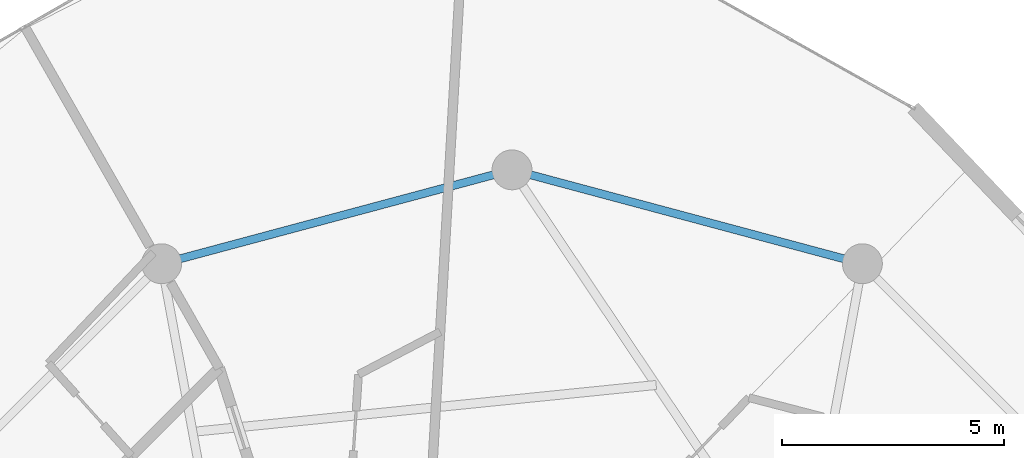
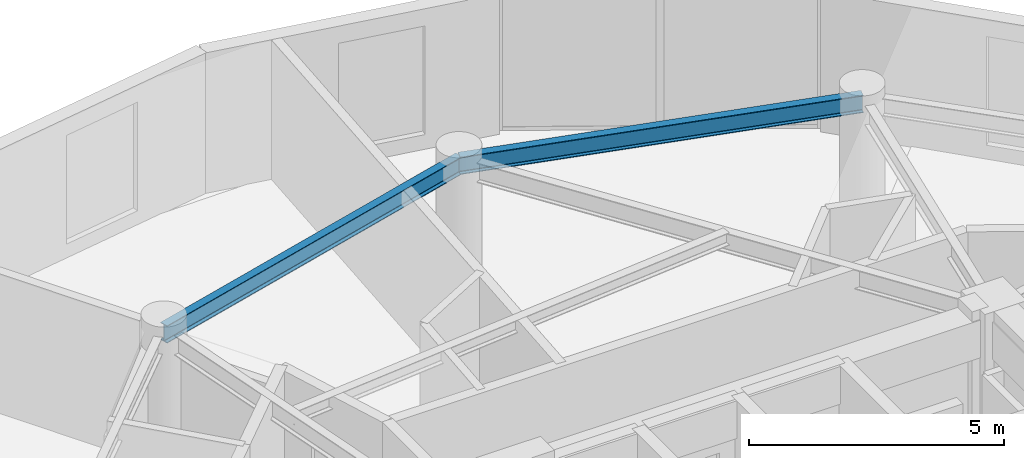
# One storey, part 14 of 21: 2 beams.
"""IFC4 building model written with IfcOpenShell, lengths in metres."""

import ifcopenshell
import ifcopenshell.guid

model = None  # the IFC model being written
_history = None  # IfcOwnerHistory: only IFC2X3 demands one
_inside = {}  # id of a spatial element -> (the spatial element, [elements in it])
_under = {}  # id of a project, library or spatial element -> (it, [spatial elements below it])
_declared = {}  # id of a project -> (the project, [libraries it declares])
_typed = {}  # id of a type object -> (the type object, [elements of that type])
_made_of = {}  # id of a material, layer set ... -> (it, [elements and type objects made of it])


def new_model(schema):
    """Start an empty IFC model of exactly this schema.

    Asked for "IFC4X3", IfcOpenShell would pick the latest addendum, in which some entities
    have other attributes; the version numbers below select the first issue.
    IFC2X3 requires an IfcOwnerHistory on every rooted entity: one is made here for all.
    """
    global model, _history
    if schema == "IFC4X3":
        model = ifcopenshell.file(schema_version=(4, 3, 0, 0))
    else:
        model = ifcopenshell.file(schema=schema)
    _inside.clear()
    _under.clear()
    _declared.clear()
    _typed.clear()
    _made_of.clear()
    _history = None
    if model.schema == "IFC2X3":
        org = make("IfcOrganization", Name="unknown")
        user = make(
            "IfcPersonAndOrganization",
            ThePerson=make("IfcPerson", FamilyName="unknown"),
            TheOrganization=org,
        )
        app = make(
            "IfcApplication",
            ApplicationDeveloper=org,
            Version="unknown",
            ApplicationFullName="unknown",
            ApplicationIdentifier="unknown",
        )
        _history = make(
            "IfcOwnerHistory",
            OwningUser=user,
            OwningApplication=app,
            ChangeAction="ADDED",
            CreationDate=0,
        )
    return model


def make(cls, **values):
    """One entity of the class cls with the attributes given. An attribute that is None is left unset."""
    return model.create_entity(
        cls, **{name: value for name, value in values.items() if value is not None}
    )


def rooted(cls, **values):
    """An entity with a GlobalId (a new one), such as an element, a storey or a relation."""
    return make(cls, GlobalId=ifcopenshell.guid.new(), OwnerHistory=_history, **values)


def si_unit(unit_type, name, prefix=None):
    """IfcSIUnit, for example si_unit("LENGTHUNIT", "METRE", prefix="MILLI")."""
    return make("IfcSIUnit", UnitType=unit_type, Prefix=prefix, Name=name)


def assignment(units):
    """IfcUnitAssignment: the units of a project."""
    return None if units is None else make("IfcUnitAssignment", Units=units)


def point(xyz):
    """IfcCartesianPoint."""
    return None if xyz is None else make("IfcCartesianPoint", Coordinates=xyz)


def direction(xyz):
    """IfcDirection."""
    return None if xyz is None else make("IfcDirection", DirectionRatios=xyz)


def frame(location, z_axis=None, x_axis=None):
    """IfcAxis2Placement3D, a coordinate frame: its origin and axes. An axis left out is left unset."""
    return make(
        "IfcAxis2Placement3D",
        Location=point(location),
        Axis=direction(z_axis),
        RefDirection=direction(x_axis),
    )


def frame_2d(location, x_axis=None):
    """IfcAxis2Placement2D, a coordinate frame in the plane: its origin and x axis."""
    return make(
        "IfcAxis2Placement2D", Location=point(location), RefDirection=direction(x_axis)
    )


def origin():
    """The frame at (0, 0, 0) with its axes left unset."""
    return frame((0.0, 0.0, 0.0))


def origin_2d():
    """The frame at (0, 0) in the plane with its x axis left unset."""
    return frame_2d((0.0, 0.0))


def place(relative_to, where):
    """IfcLocalPlacement: puts the frame where relative to a parent placement (None: the world)."""
    return make(
        "IfcLocalPlacement", PlacementRelTo=relative_to, RelativePlacement=where
    )


def context(
    kind, dimensions, precision=None, world=None, true_north=None, identifier=None
):
    """IfcGeometricRepresentationContext, for example the 3D "Model" context."""
    return make(
        "IfcGeometricRepresentationContext",
        ContextIdentifier=identifier,
        ContextType=kind,
        CoordinateSpaceDimension=dimensions,
        Precision=precision,
        WorldCoordinateSystem=world,
        TrueNorth=true_north,
    )


def subcontext(parent, identifier, kind, view, scale=None):
    """IfcGeometricRepresentationSubContext, for example "Body" below "Model"."""
    return make(
        "IfcGeometricRepresentationSubContext",
        ContextIdentifier=identifier,
        ContextType=kind,
        ParentContext=parent,
        TargetScale=scale,
        TargetView=view,
    )


def project(units=None, contexts=None):
    """IfcProject with its units and contexts."""
    return rooted(
        "IfcProject",
        Name="project",
        RepresentationContexts=contexts,
        UnitsInContext=assignment(units),
    )


def spatial(cls, under=None, at=None, **own):
    """A site, building, storey or space (cls), placed at a placement, below another one or the project."""
    s = rooted(cls, ObjectPlacement=at, **own)
    if under is not None:
        _under.setdefault(under.id(), (under, []))[1].append(s)
    return s


def profile(cls, at=None, kind="AREA", **sizes):
    """A parametric profile (cls). Its sizes go by their IFC names, for example OverallWidth=200.0."""
    return make(cls, ProfileType=kind, Position=at, **sizes)


def i_section(**sizes):
    """IfcIShapeProfileDef."""
    return profile("IfcIShapeProfileDef", **sizes)


def extrude(swept, where, along, depth):
    """IfcExtrudedAreaSolid: the profile swept, set in the frame where, extruded along a direction by depth."""
    return make(
        "IfcExtrudedAreaSolid",
        SweptArea=swept,
        Position=where,
        ExtrudedDirection=direction(along),
        Depth=depth,
    )


def shape(context_of_items, identifier, shape_type, items):
    """IfcShapeRepresentation: the items that make up one representation, for example the "Body"."""
    return make(
        "IfcShapeRepresentation",
        ContextOfItems=context_of_items,
        RepresentationIdentifier=identifier,
        RepresentationType=shape_type,
        Items=items,
    )


def material(Name=None, Category=None):
    """IfcMaterial."""
    return make("IfcMaterial", Name=Name, Category=Category)


def material_profile(
    of_material, cross_section, Name=None, Category=None, Priority=None
):
    """IfcMaterialProfile: a cross section and its material."""
    return make(
        "IfcMaterialProfile",
        Name=Name,
        Material=of_material,
        Profile=cross_section,
        Priority=Priority,
        Category=Category,
    )


def profile_set(profiles, Name=None, composite=None):
    """IfcMaterialProfileSet."""
    return make(
        "IfcMaterialProfileSet",
        Name=Name,
        MaterialProfiles=profiles,
        CompositeProfile=composite,
    )


def made_of(thing, what):
    """Note that an element or type object is made of a material, layer set ...; save() writes the relation."""
    if what is not None:
        _made_of.setdefault(what.id(), (what, []))[1].append(thing)
    return thing


def type_object(cls, material=None, **own):
    """A type object (cls), such as IfcWallType, which elements share."""
    return made_of(rooted(cls, **own), material)


def element(
    cls,
    number,
    at=None,
    inside=None,
    cuts=None,
    type_object=None,
    material=None,
    context=None,
    identifier="Body",
    shape_type=None,
    held_by="IfcProductDefinitionShape",
    body=None,
    shapes=None,
    **own,
):
    """One element of the class cls, such as IfcWall. Its Tag is "e" and its number.

    at: its placement. inside: the storey or other place that contains it. cuts: it is an
    opening in that element (IfcRelVoidsElement). A single representation is given by context,
    identifier, shape_type and body (its items); several are given by shapes. held_by: the class
    of the entity that holds the representations. save() writes the other relations.
    """
    e = rooted(cls, Tag="e%d" % number, ObjectPlacement=at, **own)
    if body is not None:
        shapes = [shape(context, identifier, shape_type, body)]
    if shapes is not None:
        e.Representation = make(held_by, Representations=shapes)
    if inside is not None:
        _inside.setdefault(inside.id(), (inside, []))[1].append(e)
    if cuts is not None:
        rooted(
            "IfcRelVoidsElement", RelatingBuildingElement=cuts, RelatedOpeningElement=e
        )
    if type_object is not None:
        _typed.setdefault(type_object.id(), (type_object, []))[1].append(e)
    return made_of(e, material)


def aggregate(whole, parts):
    """IfcRelAggregates: a whole, such as a stair, and the parts it consists of."""
    return rooted("IfcRelAggregates", RelatingObject=whole, RelatedObjects=parts)


def save(model, path):
    """Write the relations noted so far, then the file.

    IfcRelAggregates (storeys below a building ...), IfcRelContainedInSpatialStructure (elements
    in a storey), IfcRelDefinesByType, IfcRelAssociatesMaterial and IfcRelDeclares: one each for
    every whole, place, type object, material and project.
    """
    for whole, parts in _under.values():
        aggregate(whole, parts)
    for where, things in _inside.values():
        rooted(
            "IfcRelContainedInSpatialStructure",
            RelatedElements=things,
            RelatingStructure=where,
        )
    for kind, things in _typed.values():
        rooted("IfcRelDefinesByType", RelatedObjects=things, RelatingType=kind)
    for what, things in _made_of.values():
        rooted("IfcRelAssociatesMaterial", RelatedObjects=things, RelatingMaterial=what)
    for by, libraries in _declared.values():
        rooted("IfcRelDeclares", RelatingContext=by, RelatedDefinitions=libraries)
    model.write(path)


model = new_model("IFC4")

# Units and contexts
model_context = context("Model", 3, precision=1e-05, world=origin(), true_north=direction((0.0, 1.0)))
body_context = subcontext(model_context, "Body", "Model", "MODEL_VIEW")
ifc_project = project(units=[si_unit("LENGTHUNIT", "METRE"), si_unit("AREAUNIT", "SQUARE_METRE"), si_unit("VOLUMEUNIT", "CUBIC_METRE"), si_unit("PLANEANGLEUNIT", "RADIAN"), si_unit("MASSUNIT", "GRAM", prefix="KILO")], contexts=[model_context])

# Site, building, storey
site_placement = place(None, origin())
site = spatial("IfcSite", under=ifc_project, at=site_placement, CompositionType="ELEMENT")
building_placement = place(site_placement, origin())
building = spatial("IfcBuilding", under=site, at=building_placement, Name="Solvirekh Grand Hotel", CompositionType="ELEMENT")
storey_placement = place(building_placement, frame((0.0, 0.0, 220.0)))
storey = spatial("IfcBuildingStorey", under=building, at=storey_placement, Name="L57", CompositionType="ELEMENT", Elevation=220.0)

# Beams
ifc_material = material(Name="Steel S355", Category="steel")
ifc_material_profile = material_profile(ifc_material, i_section(OverallWidth=0.180908203125, OverallDepth=0.4169921875, WebThickness=0.010009765625, FlangeThickness=0.01611328125, FilletRadius=0.011962890625, at=origin_2d()), Name="W410X85")
ifc_profile_set = profile_set([ifc_material_profile], Name="Steel S355")
beam_type = type_object("IfcBeamType", Name="Spandrel_Ring_W410", PredefinedType="SPANDREL", material=ifc_profile_set)
for number, where, z_axis, x_axis, name in (
    (1, (7.89990234375, 13.68310546875, 3.152099609375), (-0.965920601923, 0.258838541915, 0.0), (-0.258838541915, -0.965920601923, 0.0), "L57 perimeter spandrel beam 3"),
    (2, (0.0, 15.800048828125, 3.152099609375), (-0.965920601923, -0.258838541915, 0.0), (0.258838541915, -0.965920601923, 0.0), "L57 perimeter spandrel beam 4"),
):
    element("IfcBeam", number, at=place(storey_placement, frame(where, z_axis=z_axis, x_axis=x_axis)), inside=storey, type_object=beam_type, Name=name, PredefinedType="SPANDREL", context=body_context, shape_type="SweptSolid", body=[
        extrude(i_section(OverallWidth=0.180908203125, OverallDepth=0.4169921875, WebThickness=0.010009765625, FlangeThickness=0.01611328125, FilletRadius=0.011962890625, at=origin_2d()), origin(), (0.0, 0.0, 1.0), 8.1787109375),
    ])

save(model, "model.ifc")
